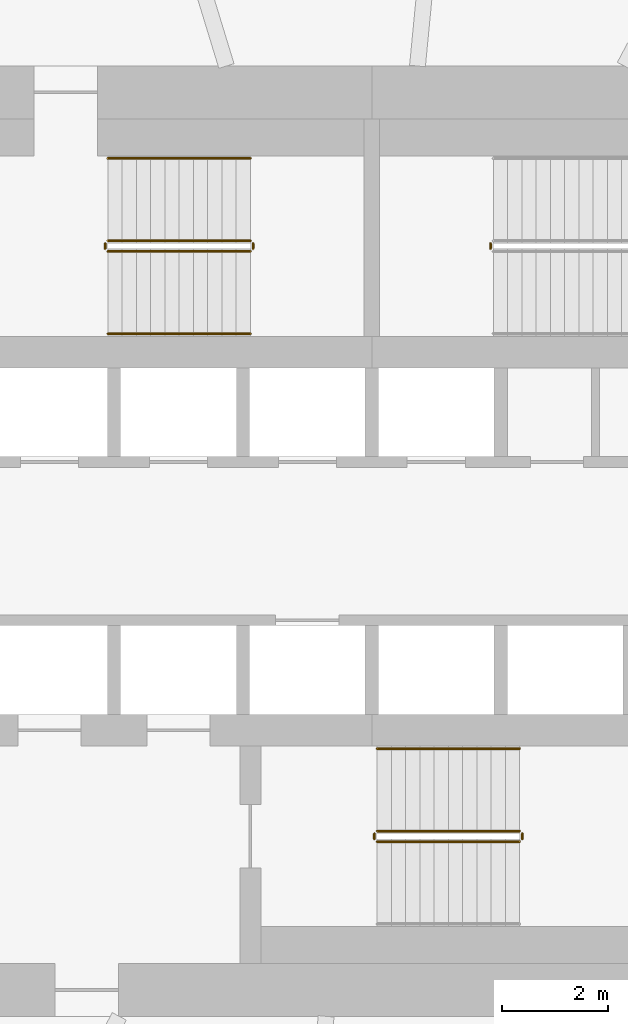
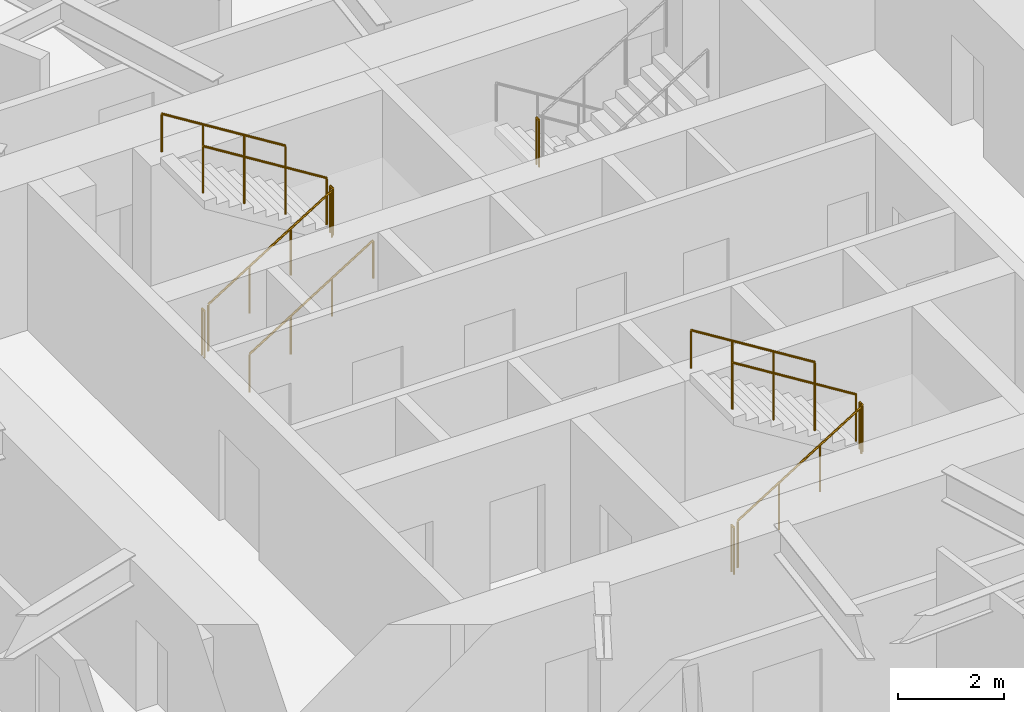
# One storey, part 13 of 16: 12 railings.
"""IFC4 building model written with IfcOpenShell, lengths in metres."""

from ifc_helpers import new_model, si_unit, direction, frame, origin, origin_2d, place, context, subcontext, project, spatial, circle, extrude, material, type_object, element, save


model = new_model("IFC4")

# Units and contexts
model_context = context("Model", 3, precision=1e-05, world=origin(), true_north=direction((0.0, 1.0)))
body_context = subcontext(model_context, "Body", "Model", "MODEL_VIEW")
ifc_project = project(units=[si_unit("LENGTHUNIT", "METRE"), si_unit("AREAUNIT", "SQUARE_METRE"), si_unit("VOLUMEUNIT", "CUBIC_METRE"), si_unit("PLANEANGLEUNIT", "RADIAN"), si_unit("MASSUNIT", "GRAM", prefix="KILO")], contexts=[model_context])

# Site, building, storey
site_placement = place(None, origin())
site = spatial("IfcSite", under=ifc_project, at=site_placement, CompositionType="ELEMENT")
building_placement = place(site_placement, origin())
building = spatial("IfcBuilding", under=site, at=building_placement, Name="Vermilion Reach Broadcast Tower", CompositionType="ELEMENT")
storey_placement = place(building_placement, frame((0.0, 0.0, 61.89990234375)))
storey = spatial("IfcBuildingStorey", under=building, at=storey_placement, Name="L12", CompositionType="ELEMENT", Elevation=61.89990234375)

# Railings
ifc_material_1 = material(Name="Stainless steel", Category="steel")
railing_type_1 = type_object("IfcRailingType", Name="Stair guard 1100", PredefinedType="GUARDRAIL", material=ifc_material_1)
railing_1_placement = place(storey_placement, frame((-11.0, 5.489990234375, 0.168212890625)))
element("IfcRailing", 1, at=railing_1_placement, inside=storey, type_object=railing_type_1, Name="L12 ST1 stair guard 1", PredefinedType="GUARDRAIL", context=body_context, shape_type="SweptSolid", body=[
    extrude(circle(Radius=0.02392578125, at=origin_2d()), frame((0.0, 0.0, 1.076171875), z_axis=(0.848786430784, 0.0, 0.528735846068), x_axis=(0.0, 1.0, 0.0)), (0.0, 0.0, 1.0), 3.180908203125),
    extrude(circle(Radius=0.02099609375, at=origin_2d()), origin(), (0.0, 0.0, 1.0), 1.052001953125),
    extrude(circle(Radius=0.02099609375, at=origin_2d()), frame((0.89990234375, 0.0, 0.560546875)), (0.0, 0.0, 1.0), 1.052001953125),
    extrude(circle(Radius=0.02099609375, at=origin_2d()), frame((1.800048828125, 0.0, 1.121337890625)), (0.0, 0.0, 1.0), 1.052001953125),
    extrude(circle(Radius=0.02099609375, at=origin_2d()), frame((2.699951171875, 0.0, 1.681884765625)), (0.0, 0.0, 1.0), 1.052001953125),
])
railing_2_placement = place(storey_placement, frame((-8.25, 5.5400390625, 1.85009765625)))
element("IfcRailing", 2, at=railing_2_placement, inside=storey, type_object=railing_type_1, Name="L12 ST1 stair guard 2", PredefinedType="GUARDRAIL", context=body_context, shape_type="SweptSolid", body=[
    extrude(circle(Radius=0.02392578125, at=origin_2d()), frame((0.0, 0.0, 1.076171875), z_axis=(0.0, 1.0, 0.0), x_axis=(-1.0, 0.0, 0.0)), (0.0, 0.0, 1.0), 0.099853515625),
    extrude(circle(Radius=0.02099609375, at=origin_2d()), origin(), (0.0, 0.0, 1.0), 1.052001953125),
    extrude(circle(Radius=0.02099609375, at=origin_2d()), frame((0.0, 0.099853515625, 0.0)), (0.0, 0.0, 1.0), 1.052001953125),
])
railing_3_placement = place(storey_placement, frame((-8.300048828125, 5.68994140625, 2.018310546875)))
element("IfcRailing", 3, at=railing_3_placement, inside=storey, type_object=railing_type_1, Name="L12 ST1 stair guard 3", PredefinedType="GUARDRAIL", context=body_context, shape_type="SweptSolid", body=[
    extrude(circle(Radius=0.02392578125, at=origin_2d()), frame((0.0, 0.0, 1.076171875), z_axis=(-0.848786430784, 0.0, 0.528735846068), x_axis=(0.0, -1.0, 0.0)), (0.0, 0.0, 1.0), 3.180908203125),
    extrude(circle(Radius=0.02099609375, at=origin_2d()), origin(), (0.0, 0.0, 1.0), 1.052001953125),
    extrude(circle(Radius=0.02099609375, at=origin_2d()), frame((-0.89990234375, 0.0, 0.560546875)), (0.0, 0.0, 1.0), 1.052001953125),
    extrude(circle(Radius=0.02099609375, at=origin_2d()), frame((-1.800048828125, 0.0, 1.121337890625)), (0.0, 0.0, 1.0), 1.052001953125),
    extrude(circle(Radius=0.02099609375, at=origin_2d()), frame((-2.699951171875, 0.0, 1.681884765625)), (0.0, 0.0, 1.0), 1.052001953125),
])
railing_4_placement = place(storey_placement, frame((-11.050048828125, 5.5400390625, 0.0)))
element("IfcRailing", 4, at=railing_4_placement, inside=storey, type_object=railing_type_1, Name="L12 ST1 stair guard 4", PredefinedType="GUARDRAIL", context=body_context, shape_type="SweptSolid", body=[
    extrude(circle(Radius=0.02392578125, at=origin_2d()), frame((0.0, 0.0, 1.076171875), z_axis=(0.0, 1.0, 0.0), x_axis=(-1.0, 0.0, 0.0)), (0.0, 0.0, 1.0), 0.099853515625),
    extrude(circle(Radius=0.02099609375, at=origin_2d()), origin(), (0.0, 0.0, 1.0), 1.052001953125),
    extrude(circle(Radius=0.02099609375, at=origin_2d()), frame((0.0, 0.099853515625, 0.0)), (0.0, 0.0, 1.0), 1.052001953125),
])
railing_5_placement = place(storey_placement, frame((-3.75, 5.639892578125, 1.85009765625)))
element("IfcRailing", 5, at=railing_5_placement, inside=storey, type_object=railing_type_1, Name="L12 ST2 stair guard 2", PredefinedType="GUARDRAIL", context=body_context, shape_type="SweptSolid", body=[
    extrude(circle(Radius=0.02392578125, at=origin_2d()), frame((0.0, 0.0, 1.076171875), z_axis=(0.0, -1.0, 0.0), x_axis=(1.0, 0.0, 0.0)), (0.0, 0.0, 1.0), 0.099853515625),
    extrude(circle(Radius=0.02099609375, at=origin_2d()), origin(), (0.0, 0.0, 1.0), 1.052001953125),
    extrude(circle(Radius=0.02099609375, at=origin_2d()), frame((0.0, -0.099853515625, 0.0)), (0.0, 0.0, 1.0), 1.052001953125),
])
railing_6_placement = place(storey_placement, frame((-5.89990234375, -5.68994140625, 0.168212890625)))
element("IfcRailing", 6, at=railing_6_placement, inside=storey, type_object=railing_type_1, Name="L12 ST3 stair guard 1", PredefinedType="GUARDRAIL", context=body_context, shape_type="SweptSolid", body=[
    extrude(circle(Radius=0.02392578125, at=origin_2d()), frame((0.0, 0.0, 1.076171875), z_axis=(0.848786430784, 0.0, 0.528735846068), x_axis=(0.0, 1.0, 0.0)), (0.0, 0.0, 1.0), 3.180908203125),
    extrude(circle(Radius=0.02099609375, at=origin_2d()), origin(), (0.0, 0.0, 1.0), 1.052001953125),
    extrude(circle(Radius=0.02099609375, at=origin_2d()), frame((0.89990234375, 0.0, 0.560546875)), (0.0, 0.0, 1.0), 1.052001953125),
    extrude(circle(Radius=0.02099609375, at=origin_2d()), frame((1.800048828125, 0.0, 1.121337890625)), (0.0, 0.0, 1.0), 1.052001953125),
    extrude(circle(Radius=0.02099609375, at=origin_2d()), frame((2.699951171875, 0.0, 1.681884765625)), (0.0, 0.0, 1.0), 1.052001953125),
])
railing_7_placement = place(storey_placement, frame((-3.14990234375, -5.639892578125, 1.85009765625)))
element("IfcRailing", 7, at=railing_7_placement, inside=storey, type_object=railing_type_1, Name="L12 ST3 stair guard 2", PredefinedType="GUARDRAIL", context=body_context, shape_type="SweptSolid", body=[
    extrude(circle(Radius=0.02392578125, at=origin_2d()), frame((0.0, 0.0, 1.076171875), z_axis=(0.0, 1.0, 0.0), x_axis=(-1.0, 0.0, 0.0)), (0.0, 0.0, 1.0), 0.099853515625),
    extrude(circle(Radius=0.02099609375, at=origin_2d()), origin(), (0.0, 0.0, 1.0), 1.052001953125),
    extrude(circle(Radius=0.02099609375, at=origin_2d()), frame((0.0, 0.099853515625, 0.0)), (0.0, 0.0, 1.0), 1.052001953125),
])
railing_8_placement = place(storey_placement, frame((-3.199951171875, -5.489990234375, 2.018310546875)))
element("IfcRailing", 8, at=railing_8_placement, inside=storey, type_object=railing_type_1, Name="L12 ST3 stair guard 3", PredefinedType="GUARDRAIL", context=body_context, shape_type="SweptSolid", body=[
    extrude(circle(Radius=0.02392578125, at=origin_2d()), frame((0.0, 0.0, 1.076171875), z_axis=(-0.848786430784, 0.0, 0.528735846068), x_axis=(0.0, -1.0, 0.0)), (0.0, 0.0, 1.0), 3.180908203125),
    extrude(circle(Radius=0.02099609375, at=origin_2d()), origin(), (0.0, 0.0, 1.0), 1.052001953125),
    extrude(circle(Radius=0.02099609375, at=origin_2d()), frame((-0.89990234375, 0.0, 0.560546875)), (0.0, 0.0, 1.0), 1.052001953125),
    extrude(circle(Radius=0.02099609375, at=origin_2d()), frame((-1.800048828125, 0.0, 1.121337890625)), (0.0, 0.0, 1.0), 1.052001953125),
    extrude(circle(Radius=0.02099609375, at=origin_2d()), frame((-2.699951171875, 0.0, 1.681884765625)), (0.0, 0.0, 1.0), 1.052001953125),
])
railing_9_placement = place(storey_placement, frame((-5.949951171875, -5.639892578125, 0.0)))
element("IfcRailing", 9, at=railing_9_placement, inside=storey, type_object=railing_type_1, Name="L12 ST3 stair guard 4", PredefinedType="GUARDRAIL", context=body_context, shape_type="SweptSolid", body=[
    extrude(circle(Radius=0.02392578125, at=origin_2d()), frame((0.0, 0.0, 1.076171875), z_axis=(0.0, 1.0, 0.0), x_axis=(-1.0, 0.0, 0.0)), (0.0, 0.0, 1.0), 0.099853515625),
    extrude(circle(Radius=0.02099609375, at=origin_2d()), origin(), (0.0, 0.0, 1.0), 1.052001953125),
    extrude(circle(Radius=0.02099609375, at=origin_2d()), frame((0.0, 0.099853515625, 0.0)), (0.0, 0.0, 1.0), 1.052001953125),
])
ifc_material_2 = material(Name="Stainless steel", Category="steel")
railing_type_2 = type_object("IfcRailingType", Name="Stair handrail", PredefinedType="HANDRAIL", material=ifc_material_2)
railing_10_placement = place(storey_placement, frame((-11.0, 3.929931640625, 0.168212890625)))
element("IfcRailing", 10, at=railing_10_placement, inside=storey, type_object=railing_type_2, Name="L12 ST1 stair handrail 1", PredefinedType="HANDRAIL", context=body_context, shape_type="SweptSolid", body=[
    extrude(circle(Radius=0.02392578125, at=origin_2d()), frame((0.0, 0.0, 0.8759765625), z_axis=(0.848786430784, 0.0, 0.528735846068), x_axis=(0.0, 1.0, 0.0)), (0.0, 0.0, 1.0), 3.180908203125),
    extrude(circle(Radius=0.02099609375, at=origin_2d()), origin(), (0.0, 0.0, 1.0), 0.851806640625),
    extrude(circle(Radius=0.02099609375, at=origin_2d()), frame((0.89990234375, 0.0, 0.560546875)), (0.0, 0.0, 1.0), 0.851806640625),
    extrude(circle(Radius=0.02099609375, at=origin_2d()), frame((1.800048828125, 0.0, 1.121337890625)), (0.0, 0.0, 1.0), 0.851806640625),
    extrude(circle(Radius=0.02099609375, at=origin_2d()), frame((2.699951171875, 0.0, 1.681884765625)), (0.0, 0.0, 1.0), 0.851806640625),
])
for number, where, name in (
    (11, (-8.300048828125, 7.25, 2.018310546875), "L12 ST1 stair handrail 2"),
    (12, (-3.199951171875, -3.929931640625, 2.018310546875), "L12 ST3 stair handrail 2"),
):
    element("IfcRailing", number, at=place(storey_placement, frame(where)), inside=storey, type_object=railing_type_2, Name=name, PredefinedType="HANDRAIL", context=body_context, shape_type="SweptSolid", body=[
        extrude(circle(Radius=0.02392578125, at=origin_2d()), frame((0.0, 0.0, 0.8759765625), z_axis=(-0.848786430784, 0.0, 0.528735846068), x_axis=(0.0, -1.0, 0.0)), (0.0, 0.0, 1.0), 3.180908203125),
        extrude(circle(Radius=0.02099609375, at=origin_2d()), origin(), (0.0, 0.0, 1.0), 0.851806640625),
        extrude(circle(Radius=0.02099609375, at=origin_2d()), frame((-0.89990234375, 0.0, 0.560546875)), (0.0, 0.0, 1.0), 0.851806640625),
        extrude(circle(Radius=0.02099609375, at=origin_2d()), frame((-1.800048828125, 0.0, 1.121337890625)), (0.0, 0.0, 1.0), 0.851806640625),
        extrude(circle(Radius=0.02099609375, at=origin_2d()), frame((-2.699951171875, 0.0, 1.681884765625)), (0.0, 0.0, 1.0), 0.851806640625),
    ])

save(model, "model.ifc")
